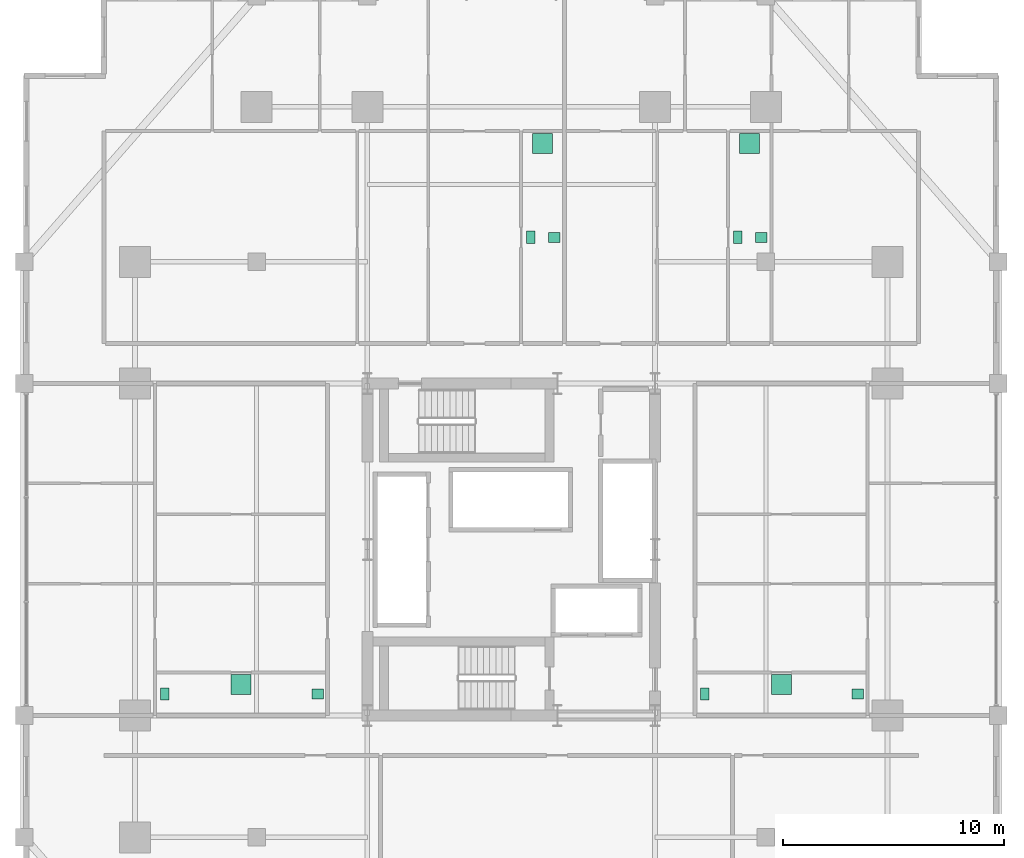
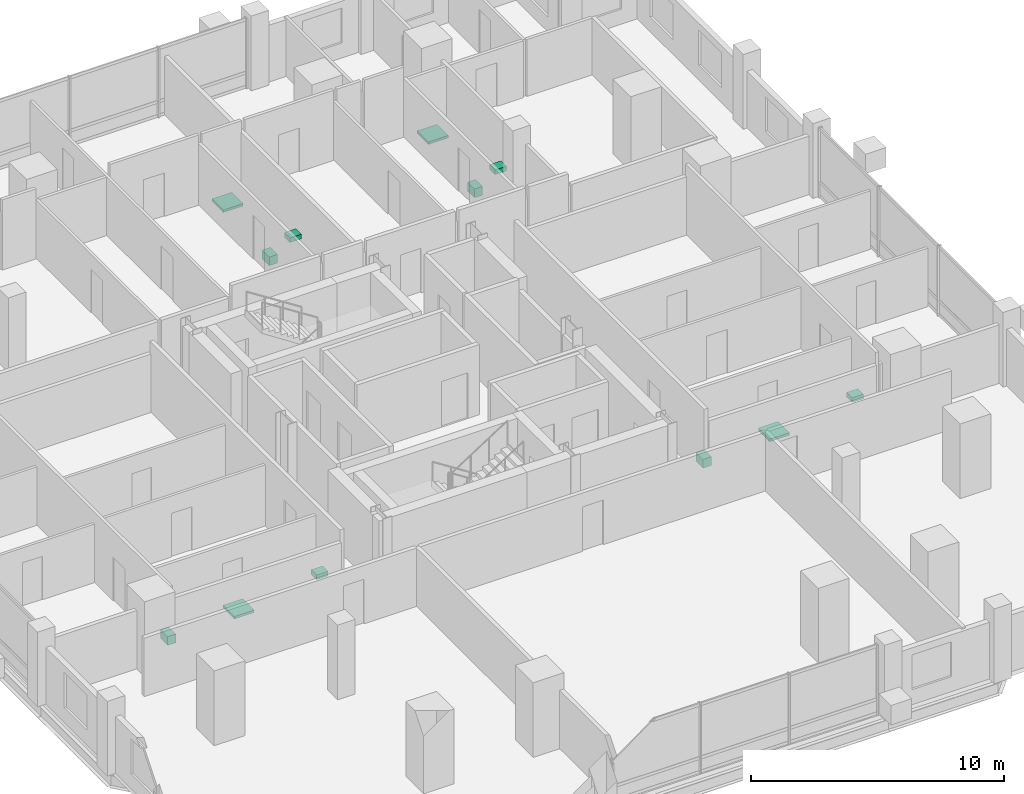
# One storey, part 23 of 23: 12 sanitary terminals.
"""IFC4 building model written with IfcOpenShell, lengths in metres."""

from ifc_helpers import new_model, si_unit, direction, frame, origin, origin_2d, place, context, subcontext, project, spatial, rectangle, extrude, material, type_object, element, save


model = new_model("IFC4")

# Units and contexts
model_context = context("Model", 3, precision=1e-05, world=origin(), true_north=direction((0.0, 1.0)))
body_context = subcontext(model_context, "Body", "Model", "MODEL_VIEW")
ifc_project = project(units=[si_unit("LENGTHUNIT", "METRE"), si_unit("AREAUNIT", "SQUARE_METRE"), si_unit("VOLUMEUNIT", "CUBIC_METRE"), si_unit("PLANEANGLEUNIT", "RADIAN"), si_unit("MASSUNIT", "GRAM", prefix="KILO")], contexts=[model_context])

# Site, building, storey
site_placement = place(None, origin())
site = spatial("IfcSite", under=ifc_project, at=site_placement, CompositionType="ELEMENT")
building_placement = place(site_placement, origin())
building = spatial("IfcBuilding", under=site, at=building_placement, Name="Barlavira Tower and Art Museum", CompositionType="ELEMENT")
storey_placement = place(building_placement, frame((0.0, 0.0, 64.800048828125)))
storey = spatial("IfcBuildingStorey", under=building, at=storey_placement, Name="L15", CompositionType="ELEMENT", Elevation=64.800048828125)

# Sanitary terminals
ifc_material = material(Name="Vitreous glazed ceramic", Category="ceramic")
sanitary_terminal_type_1 = type_object("IfcSanitaryTerminalType", Name="Countertop Ceramic Wash Hand Basin", PredefinedType="WASHHANDBASIN", material=ifc_material)
for number, where, z_axis, x_axis, name in (
    (1, (1.93994140625, 14.10009765625, 0.73974609375), (0.0, 0.0, 1.0), (1.0, 0.0, 0.0), "L15-N1-BTH1 Wash Basin"),
    (2, (11.2900390625, 14.10009765625, 0.73974609375), (0.0, 0.0, 1.0), (1.0, 0.0, 0.0), "L15-N2-BTH1 Wash Basin"),
    (3, (-8.75, -6.52490234375, 0.73974609375), (0.0, 0.0, 1.0), (1.0, 0.0, 0.0), "L15-W1-BTH1 Wash Basin"),
    (4, (15.64990234375, -6.52490234375, 0.73974609375), (0.0, 0.0, 1.0), (1.0, 0.0, 0.0), "L15-E1-BTH1 Wash Basin"),
):
    element("IfcSanitaryTerminal", number, at=place(storey_placement, frame(where, z_axis=z_axis, x_axis=x_axis)), inside=storey, type_object=sanitary_terminal_type_1, Name=name, PredefinedType="WASHHANDBASIN", context=body_context, shape_type="SweptSolid", body=[
        extrude(rectangle(XDim=0.52001953125, YDim=0.43994140625, at=origin_2d()), origin(), (0.0, 0.0, 1.0), 0.219970703125),
    ])
sanitary_terminal_type_2 = type_object("IfcSanitaryTerminalType", Name="Walk-In Thermostatic Rain Shower Unit", PredefinedType="SHOWER", material=ifc_material)
for number, where, z_axis, x_axis, name in (
    (5, (1.4150390625, 18.35009765625, 0.0), (0.0, 0.0, 1.0), (1.0, 0.0, 0.0), "L15-N1-BTH1 Rain Shower"),
    (6, (10.764892578125, 18.35009765625, 0.0), (0.0, 0.0, 1.0), (1.0, 0.0, 0.0), "L15-N2-BTH1 Rain Shower"),
    (7, (-12.199951171875, -6.10009765625, 0.0), (0.0, 0.0, 1.0), (1.0, 0.0, 0.0), "L15-W1-BTH1 Rain Shower"),
    (8, (12.199951171875, -6.10009765625, 0.0), (0.0, 0.0, 1.0), (1.0, 0.0, 0.0), "L15-E1-BTH1 Rain Shower"),
):
    element("IfcSanitaryTerminal", number, at=place(storey_placement, frame(where, z_axis=z_axis, x_axis=x_axis)), inside=storey, type_object=sanitary_terminal_type_2, Name=name, PredefinedType="SHOWER", context=body_context, shape_type="SweptSolid", body=[
        extrude(rectangle(XDim=0.89990234375, YDim=0.89990234375, at=origin_2d()), origin(), (0.0, 0.0, 1.0), 0.1201171875),
    ])
sanitary_terminal_type_3 = type_object("IfcSanitaryTerminalType", Name="Wall-Hung Dual-Flush Vitreous WC Pan", PredefinedType="TOILETPAN", material=ifc_material)
for number, where, z_axis, x_axis, name in (
    (9, (0.889892578125, 14.10009765625, 0.0), (0.0, 0.0, 1.0), (1.0, 0.0, 0.0), "L15-N1-BTH1 WC Pan"),
    (10, (10.239990234375, 14.10009765625, 0.0), (0.0, 0.0, 1.0), (1.0, 0.0, 0.0), "L15-N2-BTH1 WC Pan"),
    (11, (-15.64990234375, -6.52490234375, 0.0), (0.0, 0.0, 1.0), (1.0, 0.0, 0.0), "L15-W1-BTH1 WC Pan"),
    (12, (8.75, -6.52490234375, 0.0), (0.0, 0.0, 1.0), (1.0, 0.0, 0.0), "L15-E1-BTH1 WC Pan"),
):
    element("IfcSanitaryTerminal", number, at=place(storey_placement, frame(where, z_axis=z_axis, x_axis=x_axis)), inside=storey, type_object=sanitary_terminal_type_3, Name=name, PredefinedType="TOILETPAN", context=body_context, shape_type="SweptSolid", body=[
        extrude(rectangle(XDim=0.3798828125, YDim=0.56005859375, at=origin_2d()), origin(), (0.0, 0.0, 1.0), 0.419921875),
    ])

save(model, "model.ifc")
